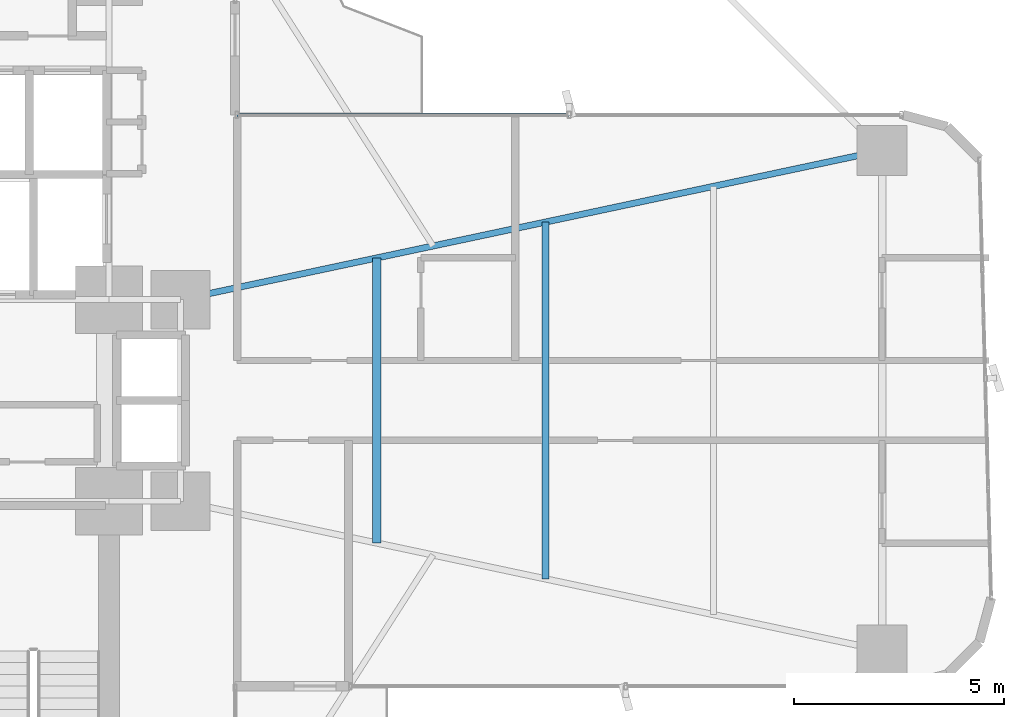
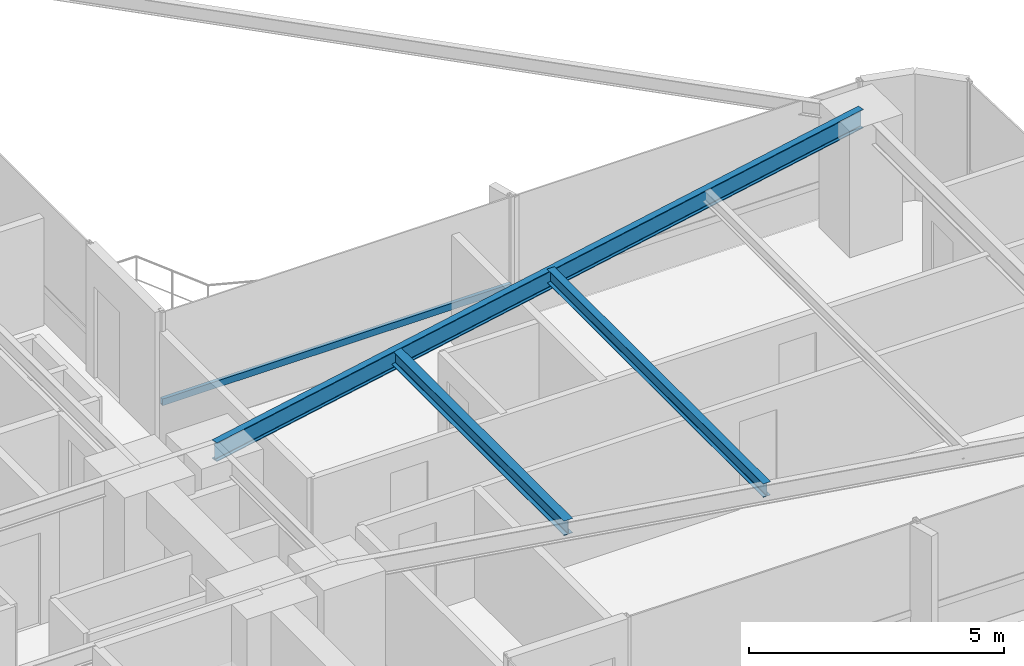
# One storey, part 15 of 25: 3 beams, 1 member, 1 element without a shape of its own.
"""IFC4 building model written with IfcOpenShell, lengths in metres."""

from ifc_helpers import new_model, si_unit, direction, frame, origin, origin_2d, place, context, subcontext, project, spatial, hollow_rectangle, i_section, extrude, source, transform, mapped, material, material_profile, profile_set, type_object, element, aggregate, save


model = new_model("IFC4")

# Units and contexts
model_context = context("Model", 3, precision=1e-05, world=origin(), true_north=direction((0.0, 1.0)))
body_context = subcontext(model_context, "Body", "Model", "MODEL_VIEW")
ifc_project = project(units=[si_unit("LENGTHUNIT", "METRE"), si_unit("AREAUNIT", "SQUARE_METRE"), si_unit("VOLUMEUNIT", "CUBIC_METRE"), si_unit("PLANEANGLEUNIT", "RADIAN"), si_unit("MASSUNIT", "GRAM", prefix="KILO")], contexts=[model_context])

# Site, building, storey
site_placement = place(None, origin())
site = spatial("IfcSite", under=ifc_project, at=site_placement, CompositionType="ELEMENT")
building_placement = place(site_placement, origin())
building = spatial("IfcBuilding", under=site, at=building_placement, Name="Sahyath Konkavel Grand Hotel", CompositionType="ELEMENT")
storey_placement = place(building_placement, frame((0.0, 0.0, 71.14990234375)))
storey = spatial("IfcBuildingStorey", under=building, at=storey_placement, Name="L19", CompositionType="ELEMENT", Elevation=71.14990234375)

# Beams
ifc_material_1 = material(Name="Steel E350", Category="steel")
ifc_material_profile_1 = material_profile(ifc_material_1, i_section(OverallWidth=0.14990234375, OverallDepth=0.449951171875, WebThickness=0.009521484375, FlangeThickness=0.017333984375, FilletRadius=0.014892578125, at=origin_2d()), Name="ISMB 450")
ifc_profile_set_1 = profile_set([ifc_material_profile_1], Name="Steel E350")
beam_type_1 = type_object("IfcBeamType", Name="BM-ISMB450", PredefinedType="BEAM", material=ifc_profile_set_1)
shared_shape_1 = source(origin(), body_context, "Body", "SweptSolid", [
    extrude(i_section(OverallWidth=0.14990234375, OverallDepth=0.449951171875, WebThickness=0.009521484375, FlangeThickness=0.017333984375, FilletRadius=0.014892578125, at=origin_2d()), origin(), (0.0, 0.0, 1.0), 17.072998046875),
])
beam_1_placement = place(storey_placement, frame((5.5, 2.39990234375, 2.80517578125), z_axis=(0.978143257225, 0.20793212437, 0.0), x_axis=(-0.20793212437, 0.978143257225, 0.0)))
element("IfcBeam", 1, at=beam_1_placement, inside=storey, type_object=beam_type_1, Name="L19 Cruciform Radial Girder EB", PredefinedType="BEAM", context=body_context, shape_type="MappedRepresentation", body=[
    mapped(shared_shape_1, transform((0.0, 0.0, 0.0), scale=1.0)),
])
ifc_material_profile_2 = material_profile(ifc_material_1, i_section(OverallWidth=0.199951171875, OverallDepth=0.35009765625, WebThickness=0.008056640625, FlangeThickness=0.011474609375, FilletRadius=0.013916015625, at=origin_2d()), Name="ISWB 350")
ifc_profile_set_2 = profile_set([ifc_material_profile_2], Name="Steel E350")
beam_type_2 = type_object("IfcBeamType", Name="BM-ISWB350", PredefinedType="BEAM", material=ifc_profile_set_2)
shared_shape_2 = source(origin(), body_context, "Body", "SweptSolid", [
    extrude(i_section(OverallWidth=0.199951171875, OverallDepth=0.35009765625, WebThickness=0.008056640625, FlangeThickness=0.011474609375, FilletRadius=0.013916015625, at=origin_2d()), origin(), (0.0, 0.0, 1.0), 6.7880859375),
])
beam_2_placement = place(storey_placement, frame((10.176025390625, -3.39404296875, 2.85498046875), z_axis=(0.0, 1.0, 0.0), x_axis=(-1.0, 0.0, 0.0)))
element("IfcBeam", 2, at=beam_2_placement, inside=storey, type_object=beam_type_2, Name="L19 Secondary Floor Beam E-1", PredefinedType="BEAM", context=body_context, shape_type="MappedRepresentation", body=[
    mapped(shared_shape_2, transform((0.0, 0.0, 0.0), scale=1.0)),
])
ifc_material_profile_3 = material_profile(ifc_material_1, i_section(OverallWidth=0.1650390625, OverallDepth=0.324951171875, WebThickness=0.007080078125, FlangeThickness=0.009765625, FilletRadius=0.014892578125, at=origin_2d()), Name="ISLB 325")
ifc_profile_set_3 = profile_set([ifc_material_profile_3], Name="Steel E350")
beam_type_3 = type_object("IfcBeamType", Name="BM-ISLB325", PredefinedType="BEAM", material=ifc_profile_set_3)
shared_shape_3 = source(origin(), body_context, "Body", "SweptSolid", [
    extrude(i_section(OverallWidth=0.1650390625, OverallDepth=0.324951171875, WebThickness=0.007080078125, FlangeThickness=0.009765625, FilletRadius=0.014892578125, at=origin_2d()), origin(), (0.0, 0.0, 1.0), 8.4921875),
])
beam_3_placement = place(storey_placement, frame((14.18408203125, -4.24609375, 2.86767578125), z_axis=(0.0, 1.0, 0.0), x_axis=(-1.0, 0.0, 0.0)))
element("IfcBeam", 3, at=beam_3_placement, inside=storey, type_object=beam_type_3, Name="L19 Secondary Floor Beam E-2", PredefinedType="BEAM", context=body_context, shape_type="MappedRepresentation", body=[
    mapped(shared_shape_3, transform((0.0, 0.0, 0.0), scale=1.0)),
])

# Curtain wall, member
ifc_material_2 = material(Name="Anodised Bronze Aluminium & Low-E Glazing", Category="aluminium")
curtain_wall_type = type_object("IfcCurtainWallType", Name="CW-ZONE1", PredefinedType="NOTDEFINED", material=ifc_material_2)
curtain_wall_placement = place(storey_placement, origin())
curtain_wall = element("IfcCurtainWall", 4, at=curtain_wall_placement, inside=storey, type_object=curtain_wall_type, Name="L19 Unitised Curtain Wall F7", PredefinedType="NOTDEFINED")
ifc_material_3 = material(Name="Anodised Bronze Aluminium", Category="aluminium")
ifc_material_profile_4 = material_profile(ifc_material_3, hollow_rectangle(XDim=0.080078125, YDim=0.159912109375, WallThickness=0.006103515625, at=origin_2d()), Name="RHS 160x80x6")
ifc_profile_set_4 = profile_set([ifc_material_profile_4], Name="Anodised Bronze Aluminium")
member_type = type_object("IfcMemberType", Name="CW-TRN-160", PredefinedType="USERDEFINED", material=ifc_profile_set_4)
shared_shape_4 = source(origin(), body_context, "Body", "SweptSolid", [
    extrude(hollow_rectangle(XDim=0.080078125, YDim=0.159912109375, WallThickness=0.006103515625, at=origin_2d()), origin(), (0.0, 0.0, 1.0), 7.909912109375),
])
member_placement = place(storey_placement, frame((14.75, 6.800048828125, 0.85009765625), z_axis=(-1.0, 0.0, 0.0), x_axis=(0.0, -1.0, 0.0)))
member = element("IfcMember", 5, at=member_placement, type_object=member_type, Name="L19 Curtain Wall Transom F7-1-spandrel", ObjectType="TRANSOM", PredefinedType="USERDEFINED", context=body_context, shape_type="MappedRepresentation", body=[
    mapped(shared_shape_4, transform((0.0, 0.0, 0.0), scale=1.0)),
])
aggregate(curtain_wall, [member])

save(model, "model.ifc")
